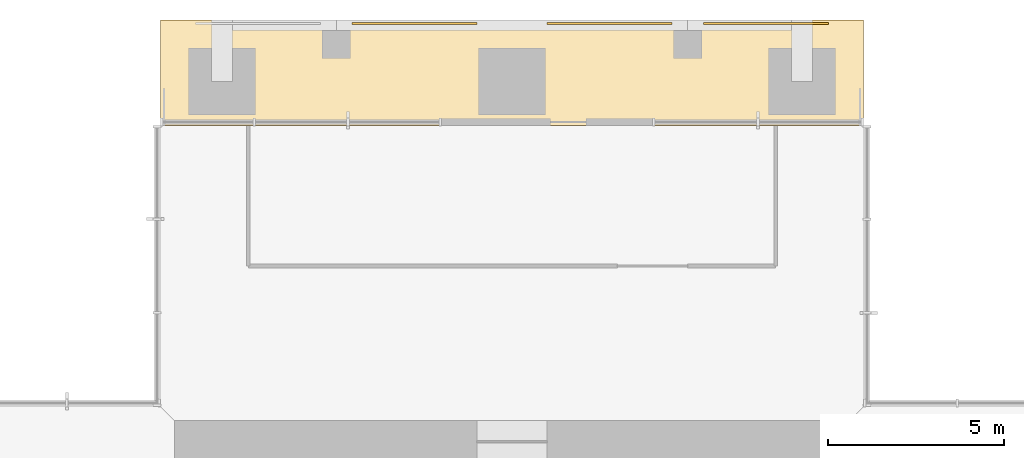
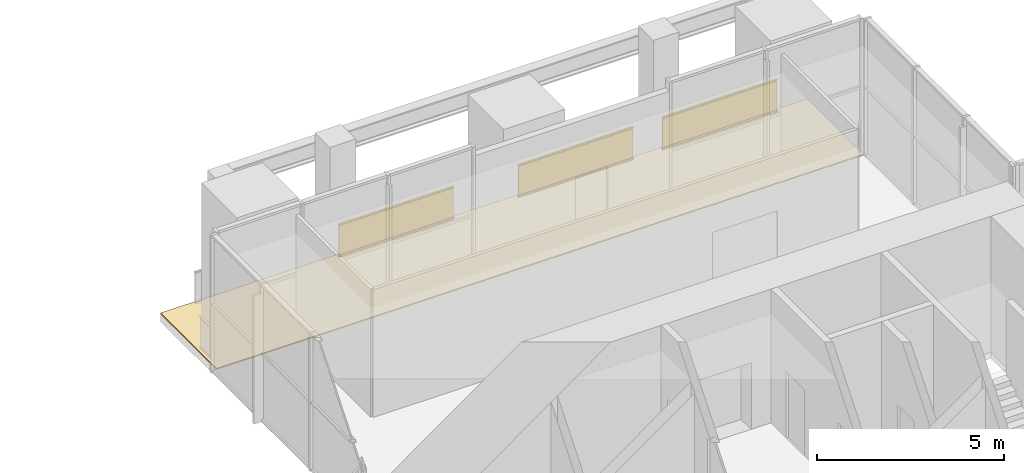
# One storey, part 11 of 11: 3 railings, 1 covering.
"""IFC4 building model written with IfcOpenShell, lengths in metres."""

from ifc_helpers import new_model, si_unit, direction, frame, origin, origin_2d, place, context, subcontext, project, spatial, polyline, rectangle, outline, extrude, material, layer, layer_set, type_object, element, save


model = new_model("IFC4")

# Units and contexts
model_context = context("Model", 3, precision=1e-05, world=origin(), true_north=direction((0.0, 1.0)))
body_context = subcontext(model_context, "Body", "Model", "MODEL_VIEW")
ifc_project = project(units=[si_unit("LENGTHUNIT", "METRE"), si_unit("AREAUNIT", "SQUARE_METRE"), si_unit("VOLUMEUNIT", "CUBIC_METRE"), si_unit("PLANEANGLEUNIT", "RADIAN"), si_unit("MASSUNIT", "GRAM", prefix="KILO")], contexts=[model_context])

# Site, building, storey
site_placement = place(None, origin())
site = spatial("IfcSite", under=ifc_project, at=site_placement, CompositionType="ELEMENT")
building_placement = place(site_placement, origin())
building = spatial("IfcBuilding", under=site, at=building_placement, Name="Svetlomir Tower", CompositionType="ELEMENT")
storey_placement = place(building_placement, frame((0.0, 0.0, 273.39990234375)))
storey = spatial("IfcBuildingStorey", under=building, at=storey_placement, Name="L65", CompositionType="ELEMENT", Elevation=273.39990234375)

# Railings
ifc_material_1 = material(Name="Bronze anodised aluminium and laminated glass", Category="aluminium")
railing_type = type_object("IfcRailingType", Name="BALCONY GUARD GR1 1100", PredefinedType="GUARDRAIL", material=ifc_material_1)
for number, where, name in (
    (1, (16.449951171875, 41.89990234375, 0.0), "Loggia guard N L65 bay 2"),
    (2, (22.0, 41.89990234375, 0.0), "Loggia guard N L65 bay 3"),
    (3, (26.449951171875, 41.89990234375, 0.0), "Loggia guard N L65 bay 4"),
):
    element("IfcRailing", number, at=place(storey_placement, frame(where)), inside=storey, type_object=railing_type, Name=name, PredefinedType="GUARDRAIL", context=body_context, shape_type="SweptSolid", body=[
        extrude(rectangle(XDim=0.06005859375, YDim=0.10009765625, at=origin_2d()), frame((0.0, 0.0, 0.050048828125), z_axis=(1.0, 0.0, 0.0), x_axis=(0.0, 1.0, 0.0)), (0.0, 0.0, 1.0), 3.550048828125),
        extrude(rectangle(XDim=0.021484375, YDim=0.960205078125, at=origin_2d()), frame((0.0, 0.0, 0.580078125), z_axis=(1.0, 0.0, 0.0), x_axis=(0.0, 1.0, 0.0)), (0.0, 0.0, 1.0), 3.550048828125),
        extrude(rectangle(XDim=0.06005859375, YDim=0.0400390625, at=origin_2d()), frame((0.0, 0.0, 1.080078125), z_axis=(1.0, 0.0, 0.0), x_axis=(0.0, 1.0, 0.0)), (0.0, 0.0, 1.0), 3.550048828125),
    ])

# Covering
ifc_material_2 = material(Name="Granite paving slabs on pedestals", Category="masonry")
ifc_layer = layer(ifc_material_2, 0.0400390625)
ifc_layer_set = layer_set([ifc_layer], Name="Granite paving slabs on pedestals")
covering_type = type_object("IfcCoveringType", Name="BALCONY PAVING 40", PredefinedType="USERDEFINED", material=ifc_layer_set)
covering_placement = place(storey_placement, origin())
element("IfcCovering", 4, at=covering_placement, inside=storey, type_object=covering_type, Name="Loggia paving N L65", ObjectType="BALCONY PAVING", PredefinedType="USERDEFINED", context=body_context, shape_type="SweptSolid", body=[
    extrude(outline(polyline([(11.0, 39.0), (31.0, 39.0), (31.0, 42.0), (11.0, 42.0), (11.0, 39.0)])), origin(), (0.0, 0.0, 1.0), 0.0400390625),
])

save(model, "model.ifc")
